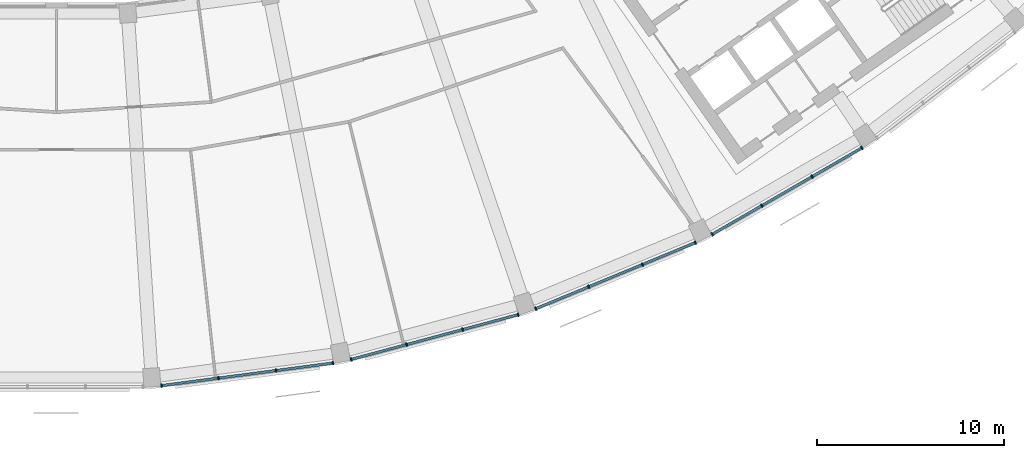
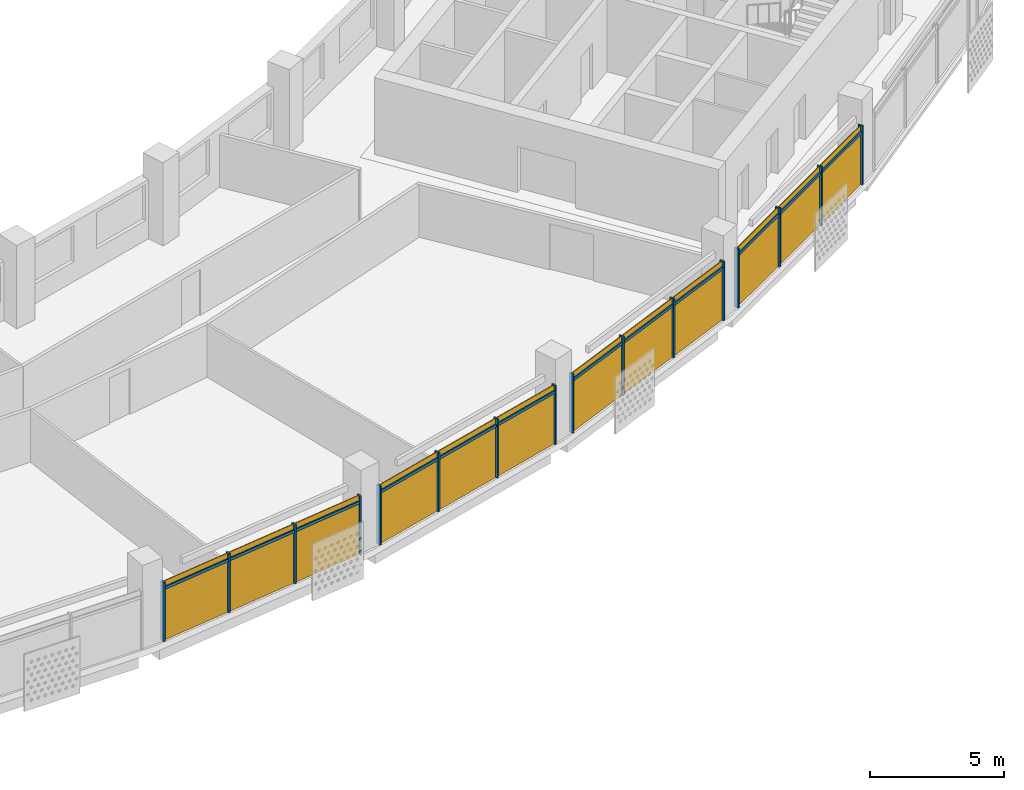
# One storey, part 21 of 29: 28 members, 4 curtain walls.
"""IFC4 building model written with IfcOpenShell, lengths in metres."""

from ifc_helpers import new_model, si_unit, direction, frame, origin, origin_2d, place, context, subcontext, project, spatial, rectangle, extrude, material, material_profile, profile_set, type_object, element, aggregate, save


model = new_model("IFC4")

# Units and contexts
model_context = context("Model", 3, precision=1e-05, world=origin(), true_north=direction((0.0, 1.0)))
body_context = subcontext(model_context, "Body", "Model", "MODEL_VIEW")
ifc_project = project(units=[si_unit("LENGTHUNIT", "METRE"), si_unit("AREAUNIT", "SQUARE_METRE"), si_unit("VOLUMEUNIT", "CUBIC_METRE"), si_unit("PLANEANGLEUNIT", "RADIAN"), si_unit("MASSUNIT", "GRAM", prefix="KILO")], contexts=[model_context])

# Member
ifc_material = material(Name="Aluminium 6063-T6 anodised", Category="aluminium")
ifc_material_profile_1 = material_profile(ifc_material, rectangle(XDim=0.199951171875, YDim=0.070068359375, at=origin_2d()))
ifc_profile_set_1 = profile_set([ifc_material_profile_1], Name="Aluminium 6063-T6 anodised")
member_type_1 = type_object("IfcMemberType", Name="Mullion 70 x 200 aluminium", PredefinedType="MULLION", material=ifc_profile_set_1)
site_placement = place(None, origin())
building_placement = place(site_placement, origin())
storey_placement = place(building_placement, frame((0.0, 0.0, 261.89990234375)))
member_1_placement = place(storey_placement, frame((5.60693359375, -78.017822265625, 0.0), z_axis=(0.0, 0.0, 1.0), x_axis=(-0.13052619222, 0.991444861374, 0.0)))
member_1 = element("IfcMember", 1, at=member_1_placement, type_object=member_type_1, Name="e-cw1-L63-out08/M00", PredefinedType="MULLION", context=body_context, shape_type="SweptSolid", body=[
    extrude(rectangle(XDim=0.199951171875, YDim=0.070068359375, at=origin_2d()), origin(), (0.0, 0.0, 1.0), 2.7001953125),
])

member_2_placement = place(storey_placement, frame((8.65185546875, -77.616943359375, 0.0), z_axis=(0.0, 0.0, 1.0), x_axis=(-0.13052619222, 0.991444861374, 0.0)))
member_2 = element("IfcMember", 2, at=member_2_placement, type_object=member_type_1, Name="e-cw1-L63-out08/M01", PredefinedType="MULLION", context=body_context, shape_type="SweptSolid", body=[
    extrude(rectangle(XDim=0.199951171875, YDim=0.070068359375, at=origin_2d()), origin(), (0.0, 0.0, 1.0), 2.7001953125),
])

member_3_placement = place(storey_placement, frame((11.731689453125, -77.21142578125, 0.0), z_axis=(0.0, 0.0, 1.0), x_axis=(-0.13052619222, 0.991444861374, 0.0)))
member_3 = element("IfcMember", 3, at=member_3_placement, type_object=member_type_1, Name="e-cw1-L63-out08/M02", PredefinedType="MULLION", context=body_context, shape_type="SweptSolid", body=[
    extrude(rectangle(XDim=0.199951171875, YDim=0.070068359375, at=origin_2d()), origin(), (0.0, 0.0, 1.0), 2.7001953125),
])

member_4_placement = place(storey_placement, frame((14.776611328125, -76.810546875, 0.0), z_axis=(0.0, 0.0, 1.0), x_axis=(-0.13052619222, 0.991444861374, 0.0)))
member_4 = element("IfcMember", 4, at=member_4_placement, type_object=member_type_1, Name="e-cw1-L63-out08/M03", PredefinedType="MULLION", context=body_context, shape_type="SweptSolid", body=[
    extrude(rectangle(XDim=0.199951171875, YDim=0.070068359375, at=origin_2d()), origin(), (0.0, 0.0, 1.0), 2.7001953125),
])

member_5_placement = place(storey_placement, frame((15.742431640625, -76.618408203125, 0.0), z_axis=(0.0, 0.0, 1.0), x_axis=(-0.258819045103, 0.965925826289, 0.0)))
member_5 = element("IfcMember", 5, at=member_5_placement, type_object=member_type_1, Name="e-cw1-L63-out09/M00", PredefinedType="MULLION", context=body_context, shape_type="SweptSolid", body=[
    extrude(rectangle(XDim=0.199951171875, YDim=0.070068359375, at=origin_2d()), origin(), (0.0, 0.0, 1.0), 2.7001953125),
])

member_6_placement = place(storey_placement, frame((18.708984375, -75.82373046875, 0.0), z_axis=(0.0, 0.0, 1.0), x_axis=(-0.258819045103, 0.965925826289, 0.0)))
member_6 = element("IfcMember", 6, at=member_6_placement, type_object=member_type_1, Name="e-cw1-L63-out09/M01", PredefinedType="MULLION", context=body_context, shape_type="SweptSolid", body=[
    extrude(rectangle(XDim=0.199951171875, YDim=0.070068359375, at=origin_2d()), origin(), (0.0, 0.0, 1.0), 2.7001953125),
])

member_7_placement = place(storey_placement, frame((21.70947265625, -75.019775390625, 0.0), z_axis=(0.0, 0.0, 1.0), x_axis=(-0.258819045103, 0.965925826289, 0.0)))
member_7 = element("IfcMember", 7, at=member_7_placement, type_object=member_type_1, Name="e-cw1-L63-out09/M02", PredefinedType="MULLION", context=body_context, shape_type="SweptSolid", body=[
    extrude(rectangle(XDim=0.199951171875, YDim=0.070068359375, at=origin_2d()), origin(), (0.0, 0.0, 1.0), 2.7001953125),
])

member_8_placement = place(storey_placement, frame((24.676025390625, -74.224853515625, 0.0), z_axis=(0.0, 0.0, 1.0), x_axis=(-0.258819045103, 0.965925826289, 0.0)))
member_8 = element("IfcMember", 8, at=member_8_placement, type_object=member_type_1, Name="e-cw1-L63-out09/M03", PredefinedType="MULLION", context=body_context, shape_type="SweptSolid", body=[
    extrude(rectangle(XDim=0.199951171875, YDim=0.070068359375, at=origin_2d()), origin(), (0.0, 0.0, 1.0), 2.7001953125),
])

member_9_placement = place(storey_placement, frame((25.6083984375, -73.908203125, 0.0), z_axis=(0.0, 0.0, 1.0), x_axis=(-0.382683432365, 0.923879532511, 0.0)))
member_9 = element("IfcMember", 9, at=member_9_placement, type_object=member_type_1, Name="e-cw1-L63-out10/M00", PredefinedType="MULLION", context=body_context, shape_type="SweptSolid", body=[
    extrude(rectangle(XDim=0.199951171875, YDim=0.070068359375, at=origin_2d()), origin(), (0.0, 0.0, 1.0), 2.7001953125),
])

member_10_placement = place(storey_placement, frame((28.44580078125, -72.73291015625, 0.0), z_axis=(0.0, 0.0, 1.0), x_axis=(-0.382683432365, 0.923879532511, 0.0)))
member_10 = element("IfcMember", 10, at=member_10_placement, type_object=member_type_1, Name="e-cw1-L63-out10/M01", PredefinedType="MULLION", context=body_context, shape_type="SweptSolid", body=[
    extrude(rectangle(XDim=0.199951171875, YDim=0.070068359375, at=origin_2d()), origin(), (0.0, 0.0, 1.0), 2.7001953125),
])

member_11_placement = place(storey_placement, frame((31.315673828125, -71.544189453125, 0.0), z_axis=(0.0, 0.0, 1.0), x_axis=(-0.382683432365, 0.923879532511, 0.0)))
member_11 = element("IfcMember", 11, at=member_11_placement, type_object=member_type_1, Name="e-cw1-L63-out10/M02", PredefinedType="MULLION", context=body_context, shape_type="SweptSolid", body=[
    extrude(rectangle(XDim=0.199951171875, YDim=0.070068359375, at=origin_2d()), origin(), (0.0, 0.0, 1.0), 2.7001953125),
])

member_12_placement = place(storey_placement, frame((34.153076171875, -70.368896484375, 0.0), z_axis=(0.0, 0.0, 1.0), x_axis=(-0.382683432365, 0.923879532511, 0.0)))
member_12 = element("IfcMember", 12, at=member_12_placement, type_object=member_type_1, Name="e-cw1-L63-out10/M03", PredefinedType="MULLION", context=body_context, shape_type="SweptSolid", body=[
    extrude(rectangle(XDim=0.199951171875, YDim=0.070068359375, at=origin_2d()), origin(), (0.0, 0.0, 1.0), 2.7001953125),
])

member_13_placement = place(storey_placement, frame((35.036376953125, -69.933349609375, 0.0), z_axis=(0.0, 0.0, 1.0), x_axis=(-0.5, 0.866025403784, 0.0)))
member_13 = element("IfcMember", 13, at=member_13_placement, type_object=member_type_1, Name="e-cw1-L63-out11/M00", PredefinedType="MULLION", context=body_context, shape_type="SweptSolid", body=[
    extrude(rectangle(XDim=0.199951171875, YDim=0.070068359375, at=origin_2d()), origin(), (0.0, 0.0, 1.0), 2.7001953125),
])

member_14_placement = place(storey_placement, frame((37.696044921875, -68.397705078125, 0.0), z_axis=(0.0, 0.0, 1.0), x_axis=(-0.5, 0.866025403784, 0.0)))
member_14 = element("IfcMember", 14, at=member_14_placement, type_object=member_type_1, Name="e-cw1-L63-out11/M01", PredefinedType="MULLION", context=body_context, shape_type="SweptSolid", body=[
    extrude(rectangle(XDim=0.199951171875, YDim=0.070068359375, at=origin_2d()), origin(), (0.0, 0.0, 1.0), 2.7001953125),
])

member_15_placement = place(storey_placement, frame((40.38623046875, -66.8447265625, 0.0), z_axis=(0.0, 0.0, 1.0), x_axis=(-0.5, 0.866025403784, 0.0)))
member_15 = element("IfcMember", 15, at=member_15_placement, type_object=member_type_1, Name="e-cw1-L63-out11/M02", PredefinedType="MULLION", context=body_context, shape_type="SweptSolid", body=[
    extrude(rectangle(XDim=0.199951171875, YDim=0.070068359375, at=origin_2d()), origin(), (0.0, 0.0, 1.0), 2.7001953125),
])

member_16_placement = place(storey_placement, frame((43.0458984375, -65.30908203125, 0.0), z_axis=(0.0, 0.0, 1.0), x_axis=(-0.5, 0.866025403784, 0.0)))
member_16 = element("IfcMember", 16, at=member_16_placement, type_object=member_type_1, Name="e-cw1-L63-out11/M03", PredefinedType="MULLION", context=body_context, shape_type="SweptSolid", body=[
    extrude(rectangle(XDim=0.199951171875, YDim=0.070068359375, at=origin_2d()), origin(), (0.0, 0.0, 1.0), 2.7001953125),
])

ifc_material_profile_2 = material_profile(ifc_material, rectangle(XDim=0.139892578125, YDim=0.1201171875, at=origin_2d()))
ifc_profile_set_2 = profile_set([ifc_material_profile_2], Name="Aluminium 6063-T6 anodised")
member_type_2 = type_object("IfcMemberType", Name="Transom 120 x 140 aluminium", PredefinedType="USERDEFINED", material=ifc_profile_set_2)
member_17_placement = place(storey_placement, frame((5.6416015625, -78.01318359375, 2.400146484375), z_axis=(0.991450972696, 0.130479763719, 0.0), x_axis=(-0.130479763719, 0.991450972696, 0.0)))
member_17 = element("IfcMember", 17, at=member_17_placement, type_object=member_type_2, Name="e-cw1-L63-out08/T00", ObjectType="TRANSOM", PredefinedType="USERDEFINED", context=body_context, shape_type="SweptSolid", body=[
    extrude(rectangle(XDim=0.139892578125, YDim=0.1201171875, at=origin_2d()), origin(), (0.0, 0.0, 1.0), 3.001220703125),
])

member_18_placement = place(storey_placement, frame((8.686767578125, -77.6123046875, 2.400146484375), z_axis=(0.991447725786, 0.130504433005, 0.0), x_axis=(-0.130504433005, 0.991447725786, 0.0)))
member_18 = element("IfcMember", 18, at=member_18_placement, type_object=member_type_2, Name="e-cw1-L63-out08/T01", ObjectType="TRANSOM", PredefinedType="USERDEFINED", context=body_context, shape_type="SweptSolid", body=[
    extrude(rectangle(XDim=0.139892578125, YDim=0.1201171875, at=origin_2d()), origin(), (0.0, 0.0, 1.0), 3.0361328125),
])

member_19_placement = place(storey_placement, frame((11.766357421875, -77.20703125, 2.400146484375), z_axis=(0.991440446253, 0.13055972401, 0.0), x_axis=(-0.13055972401, 0.991440446253, 0.0)))
member_19 = element("IfcMember", 19, at=member_19_placement, type_object=member_type_2, Name="e-cw1-L63-out08/T02", ObjectType="TRANSOM", PredefinedType="USERDEFINED", context=body_context, shape_type="SweptSolid", body=[
    extrude(rectangle(XDim=0.139892578125, YDim=0.1201171875, at=origin_2d()), origin(), (0.0, 0.0, 1.0), 3.001220703125),
])

member_20_placement = place(storey_placement, frame((15.776123046875, -76.609375, 2.400146484375), z_axis=(0.965944058071, 0.258750993577, 0.0), x_axis=(-0.258750993577, 0.965944058071, 0.0)))
member_20 = element("IfcMember", 20, at=member_20_placement, type_object=member_type_2, Name="e-cw1-L63-out09/T00", ObjectType="TRANSOM", PredefinedType="USERDEFINED", context=body_context, shape_type="SweptSolid", body=[
    extrude(rectangle(XDim=0.139892578125, YDim=0.1201171875, at=origin_2d()), origin(), (0.0, 0.0, 1.0), 3.00146484375),
])

member_21_placement = place(storey_placement, frame((18.74267578125, -75.814453125, 2.400146484375), z_axis=(0.965943386189, 0.258753501769, 0.0), x_axis=(-0.258753501769, 0.965943386189, 0.0)))
member_21 = element("IfcMember", 21, at=member_21_placement, type_object=member_type_2, Name="e-cw1-L63-out09/T01", ObjectType="TRANSOM", PredefinedType="USERDEFINED", context=body_context, shape_type="SweptSolid", body=[
    extrude(rectangle(XDim=0.139892578125, YDim=0.1201171875, at=origin_2d()), origin(), (0.0, 0.0, 1.0), 3.036376953125),
])

member_22_placement = place(storey_placement, frame((21.7431640625, -75.0107421875, 2.400146484375), z_axis=(0.965918275034, 0.258847225127, 0.0), x_axis=(-0.258847225127, 0.965918275034, 0.0)))
member_22 = element("IfcMember", 22, at=member_22_placement, type_object=member_type_2, Name="e-cw1-L63-out09/T02", ObjectType="TRANSOM", PredefinedType="USERDEFINED", context=body_context, shape_type="SweptSolid", body=[
    extrude(rectangle(XDim=0.139892578125, YDim=0.1201171875, at=origin_2d()), origin(), (0.0, 0.0, 1.0), 3.001220703125),
])

member_23_placement = place(storey_placement, frame((25.640869140625, -73.894775390625, 2.400146484375), z_axis=(0.923885958475, 0.382667918347, 0.0), x_axis=(-0.382667918347, 0.923885958475, 0.0)))
member_23 = element("IfcMember", 23, at=member_23_placement, type_object=member_type_2, Name="e-cw1-L63-out10/T00", ObjectType="TRANSOM", PredefinedType="USERDEFINED", context=body_context, shape_type="SweptSolid", body=[
    extrude(rectangle(XDim=0.139892578125, YDim=0.1201171875, at=origin_2d()), origin(), (0.0, 0.0, 1.0), 3.001220703125),
])

member_24_placement = place(storey_placement, frame((28.478271484375, -72.719482421875, 2.400146484375), z_axis=(0.923888454036, 0.38266189319, 0.0), x_axis=(-0.38266189319, 0.923888454036, 0.0)))
member_24 = element("IfcMember", 24, at=member_24_placement, type_object=member_type_2, Name="e-cw1-L63-out10/T01", ObjectType="TRANSOM", PredefinedType="USERDEFINED", context=body_context, shape_type="SweptSolid", body=[
    extrude(rectangle(XDim=0.139892578125, YDim=0.1201171875, at=origin_2d()), origin(), (0.0, 0.0, 1.0), 3.036376953125),
])

member_25_placement = place(storey_placement, frame((31.347900390625, -71.53076171875, 2.400146484375), z_axis=(0.923897869521, 0.382639159907, 0.0), x_axis=(-0.382639159907, 0.923897869521, 0.0)))
member_25 = element("IfcMember", 25, at=member_25_placement, type_object=member_type_2, Name="e-cw1-L63-out10/T02", ObjectType="TRANSOM", PredefinedType="USERDEFINED", context=body_context, shape_type="SweptSolid", body=[
    extrude(rectangle(XDim=0.139892578125, YDim=0.1201171875, at=origin_2d()), origin(), (0.0, 0.0, 1.0), 3.00146484375),
])

member_26_placement = place(storey_placement, frame((35.066650390625, -69.915771484375, 2.400146484375), z_axis=(0.866041993159, 0.49997126526, 0.0), x_axis=(-0.49997126526, 0.866041993159, 0.0)))
member_26 = element("IfcMember", 26, at=member_26_placement, type_object=member_type_2, Name="e-cw1-L63-out11/T00", ObjectType="TRANSOM", PredefinedType="USERDEFINED", context=body_context, shape_type="SweptSolid", body=[
    extrude(rectangle(XDim=0.139892578125, YDim=0.1201171875, at=origin_2d()), origin(), (0.0, 0.0, 1.0), 3.001220703125),
])

member_27_placement = place(storey_placement, frame((37.726318359375, -68.38037109375, 2.400146484375), z_axis=(0.866012861315, 0.500021723565, 0.0), x_axis=(-0.500021723565, 0.866012861315, 0.0)))
member_27 = element("IfcMember", 27, at=member_27_placement, type_object=member_type_2, Name="e-cw1-L63-out11/T01", ObjectType="TRANSOM", PredefinedType="USERDEFINED", context=body_context, shape_type="SweptSolid", body=[
    extrude(rectangle(XDim=0.139892578125, YDim=0.1201171875, at=origin_2d()), origin(), (0.0, 0.0, 1.0), 3.036376953125),
])

member_28_placement = place(storey_placement, frame((40.41650390625, -66.8271484375, 2.400146484375), z_axis=(0.866041993159, 0.49997126526, 0.0), x_axis=(-0.49997126526, 0.866041993159, 0.0)))
member_28 = element("IfcMember", 28, at=member_28_placement, type_object=member_type_2, Name="e-cw1-L63-out11/T02", ObjectType="TRANSOM", PredefinedType="USERDEFINED", context=body_context, shape_type="SweptSolid", body=[
    extrude(rectangle(XDim=0.139892578125, YDim=0.1201171875, at=origin_2d()), origin(), (0.0, 0.0, 1.0), 3.001220703125),
])

# Site, building, storey
site = spatial("IfcSite", under=ifc_project, at=site_placement, CompositionType="ELEMENT")
building = spatial("IfcBuilding", under=site, at=building_placement, Name="Qamariyya Broadcast Tower", CompositionType="ELEMENT")
storey = spatial("IfcBuildingStorey", under=building, at=storey_placement, Name="L63", CompositionType="ELEMENT", Elevation=261.89990234375)

# Curtain wall
curtain_wall_type = type_object("IfcCurtainWallType", Name="Unitised curtain wall, anodised aluminium", PredefinedType="NOTDEFINED", material=ifc_material)
curtain_wall_1_placement = place(storey_placement, origin())
curtain_wall_1 = element("IfcCurtainWall", 29, at=curtain_wall_1_placement, inside=storey, type_object=curtain_wall_type, Name="e-cw1-L63-out08", PredefinedType="NOTDEFINED", context=body_context, shape_type="SweptSolid", body=[
    extrude(rectangle(XDim=3.001220703125, YDim=0.031982421875, at=origin_2d()), frame((7.12939453125, -77.8173828125, 0.0), x_axis=(0.991445286748, 0.130522961144, 0.0)), (0.0, 0.0, 1.0), 2.340087890625),
    extrude(rectangle(XDim=3.001220703125, YDim=0.031982421875, at=origin_2d()), frame((7.12939453125, -77.8173828125, 2.460205078125), x_axis=(0.991445286748, 0.130522961144, 0.0)), (0.0, 0.0, 1.0), 0.239990234375),
    extrude(rectangle(XDim=3.0361328125, YDim=0.031982421875, at=origin_2d()), frame((10.19189453125, -77.414306640625, 0.0), x_axis=(0.991445286748, 0.130522961144, 0.0)), (0.0, 0.0, 1.0), 2.340087890625),
    extrude(rectangle(XDim=3.0361328125, YDim=0.031982421875, at=origin_2d()), frame((10.19189453125, -77.414306640625, 2.460205078125), x_axis=(0.991445286748, 0.130522961144, 0.0)), (0.0, 0.0, 1.0), 0.239990234375),
    extrude(rectangle(XDim=3.001220703125, YDim=0.031982421875, at=origin_2d()), frame((13.254150390625, -77.01123046875, 0.0), x_axis=(0.991445286748, 0.130522961144, 0.0)), (0.0, 0.0, 1.0), 2.340087890625),
    extrude(rectangle(XDim=3.001220703125, YDim=0.031982421875, at=origin_2d()), frame((13.254150390625, -77.01123046875, 2.460205078125), x_axis=(0.991445286748, 0.130522961144, 0.0)), (0.0, 0.0, 1.0), 0.239990234375),
])

aggregate(curtain_wall_1, [member_1, member_2, member_3, member_4, member_17, member_18, member_19])

curtain_wall_2_placement = place(storey_placement, origin())
curtain_wall_2 = element("IfcCurtainWall", 30, at=curtain_wall_2_placement, inside=storey, type_object=curtain_wall_type, Name="e-cw1-L63-out09", PredefinedType="NOTDEFINED", context=body_context, shape_type="SweptSolid", body=[
    extrude(rectangle(XDim=3.001220703125, YDim=0.031982421875, at=origin_2d()), frame((17.2255859375, -76.22119140625, 0.0), x_axis=(0.965925949265, 0.258818586151, 0.0)), (0.0, 0.0, 1.0), 2.340087890625),
    extrude(rectangle(XDim=3.001220703125, YDim=0.031982421875, at=origin_2d()), frame((17.2255859375, -76.22119140625, 2.460205078125), x_axis=(0.965925949265, 0.258818586151, 0.0)), (0.0, 0.0, 1.0), 0.239990234375),
    extrude(rectangle(XDim=3.0361328125, YDim=0.031982421875, at=origin_2d()), frame((20.208984375, -75.421875, 0.0), x_axis=(0.965925949265, 0.258818586151, 0.0)), (0.0, 0.0, 1.0), 2.340087890625),
    extrude(rectangle(XDim=3.0361328125, YDim=0.031982421875, at=origin_2d()), frame((20.208984375, -75.421875, 2.460205078125), x_axis=(0.965925949265, 0.258818586151, 0.0)), (0.0, 0.0, 1.0), 0.239990234375),
    extrude(rectangle(XDim=3.001220703125, YDim=0.031982421875, at=origin_2d()), frame((23.192626953125, -74.622314453125, 0.0), x_axis=(0.965925949265, 0.258818586151, 0.0)), (0.0, 0.0, 1.0), 2.340087890625),
    extrude(rectangle(XDim=3.001220703125, YDim=0.031982421875, at=origin_2d()), frame((23.192626953125, -74.622314453125, 2.460205078125), x_axis=(0.965925949265, 0.258818586151, 0.0)), (0.0, 0.0, 1.0), 0.239990234375),
])

aggregate(curtain_wall_2, [member_5, member_6, member_7, member_8, member_20, member_21, member_22])

curtain_wall_3_placement = place(storey_placement, origin())
curtain_wall_3 = element("IfcCurtainWall", 31, at=curtain_wall_3_placement, inside=storey, type_object=curtain_wall_type, Name="e-cw1-L63-out10", PredefinedType="NOTDEFINED", context=body_context, shape_type="SweptSolid", body=[
    extrude(rectangle(XDim=3.001220703125, YDim=0.031982421875, at=origin_2d()), frame((27.02734375, -73.320556640625, 0.0), x_axis=(0.923877930643, 0.382687299595, 0.0)), (0.0, 0.0, 1.0), 2.340087890625),
    extrude(rectangle(XDim=3.001220703125, YDim=0.031982421875, at=origin_2d()), frame((27.02734375, -73.320556640625, 2.460205078125), x_axis=(0.923877930643, 0.382687299595, 0.0)), (0.0, 0.0, 1.0), 0.239990234375),
    extrude(rectangle(XDim=3.0361328125, YDim=0.031982421875, at=origin_2d()), frame((29.880859375, -72.138671875, 0.0), x_axis=(0.923877930643, 0.382687299595, 0.0)), (0.0, 0.0, 1.0), 2.340087890625),
    extrude(rectangle(XDim=3.0361328125, YDim=0.031982421875, at=origin_2d()), frame((29.880859375, -72.138671875, 2.460205078125), x_axis=(0.923877930643, 0.382687299595, 0.0)), (0.0, 0.0, 1.0), 0.239990234375),
    extrude(rectangle(XDim=3.001220703125, YDim=0.031982421875, at=origin_2d()), frame((32.734375, -70.95654296875, 0.0), x_axis=(0.923877930643, 0.382687299595, 0.0)), (0.0, 0.0, 1.0), 2.340087890625),
    extrude(rectangle(XDim=3.001220703125, YDim=0.031982421875, at=origin_2d()), frame((32.734375, -70.95654296875, 2.460205078125), x_axis=(0.923877930643, 0.382687299595, 0.0)), (0.0, 0.0, 1.0), 0.239990234375),
])

aggregate(curtain_wall_3, [member_9, member_10, member_11, member_12, member_23, member_24, member_25])

curtain_wall_4_placement = place(storey_placement, origin())
curtain_wall_4 = element("IfcCurtainWall", 32, at=curtain_wall_4_placement, inside=storey, type_object=curtain_wall_type, Name="e-cw1-L63-out11", PredefinedType="NOTDEFINED", context=body_context, shape_type="SweptSolid", body=[
    extrude(rectangle(XDim=3.001220703125, YDim=0.031982421875, at=origin_2d()), frame((36.3662109375, -69.16552734375, 0.0), x_axis=(0.866017611601, 0.500013496215, 0.0)), (0.0, 0.0, 1.0), 2.340087890625),
    extrude(rectangle(XDim=3.001220703125, YDim=0.031982421875, at=origin_2d()), frame((36.3662109375, -69.16552734375, 2.460205078125), x_axis=(0.866017611601, 0.500013496215, 0.0)), (0.0, 0.0, 1.0), 0.239990234375),
    extrude(rectangle(XDim=3.0361328125, YDim=0.031982421875, at=origin_2d()), frame((39.041015625, -67.62109375, 0.0), x_axis=(0.866017611601, 0.500013496215, 0.0)), (0.0, 0.0, 1.0), 2.340087890625),
    extrude(rectangle(XDim=3.0361328125, YDim=0.031982421875, at=origin_2d()), frame((39.041015625, -67.62109375, 2.460205078125), x_axis=(0.866017611601, 0.500013496215, 0.0)), (0.0, 0.0, 1.0), 0.239990234375),
    extrude(rectangle(XDim=3.001220703125, YDim=0.031982421875, at=origin_2d()), frame((41.716064453125, -66.076904296875, 0.0), x_axis=(0.866017611601, 0.500013496215, 0.0)), (0.0, 0.0, 1.0), 2.340087890625),
    extrude(rectangle(XDim=3.001220703125, YDim=0.031982421875, at=origin_2d()), frame((41.716064453125, -66.076904296875, 2.460205078125), x_axis=(0.866017611601, 0.500013496215, 0.0)), (0.0, 0.0, 1.0), 0.239990234375),
])

aggregate(curtain_wall_4, [member_13, member_14, member_15, member_16, member_26, member_27, member_28])

save(model, "model.ifc")
